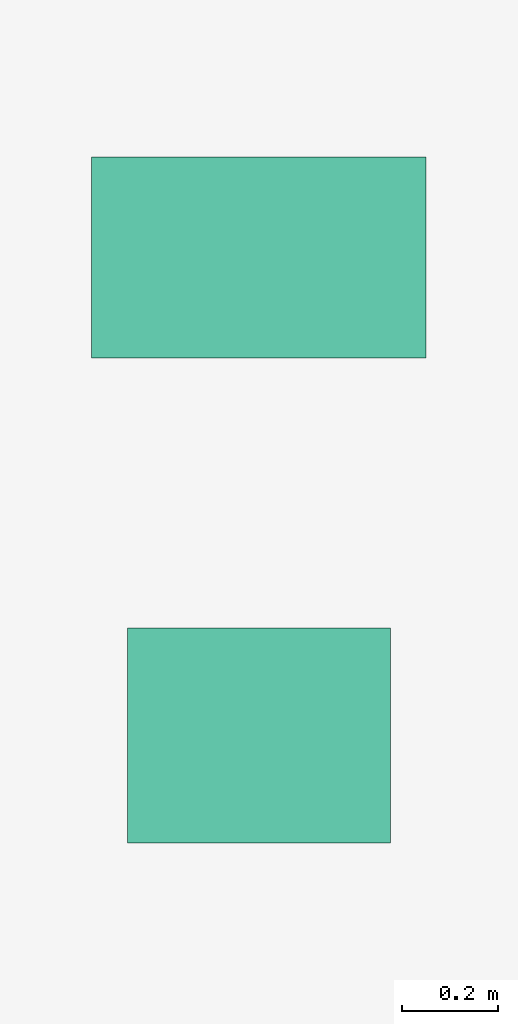
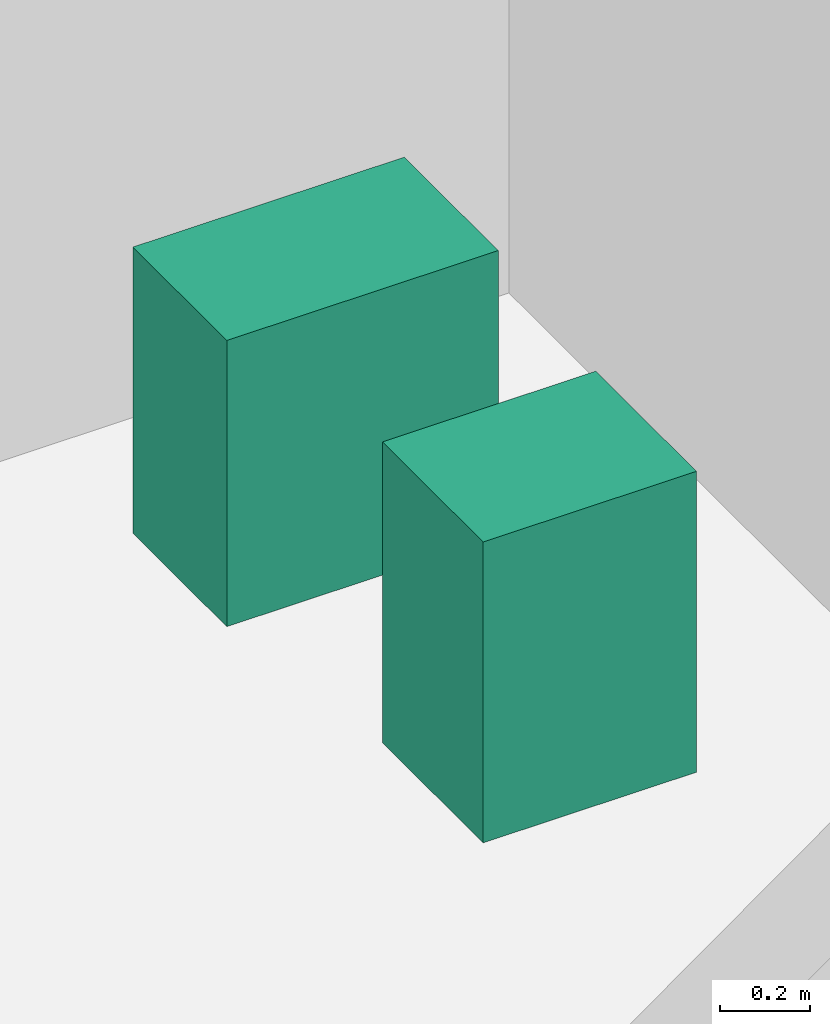
# One storey, part 36 of 36: 2 sanitary terminals.
"""IFC4 building model written with IfcOpenShell, lengths in metres."""

from ifc_helpers import new_model, si_unit, direction, frame, origin, origin_2d, place, context, subcontext, project, spatial, rectangle, extrude, source, transform, mapped, material, type_object, element, save


model = new_model("IFC4")

# Units and contexts
model_context = context("Model", 3, precision=1e-05, world=origin(), true_north=direction((0.0, 1.0)))
body_context = subcontext(model_context, "Body", "Model", "MODEL_VIEW")
ifc_project = project(units=[si_unit("LENGTHUNIT", "METRE"), si_unit("AREAUNIT", "SQUARE_METRE"), si_unit("VOLUMEUNIT", "CUBIC_METRE"), si_unit("PLANEANGLEUNIT", "RADIAN"), si_unit("MASSUNIT", "GRAM", prefix="KILO")], contexts=[model_context])

# Site, building, storey
site_placement = place(None, origin())
site = spatial("IfcSite", under=ifc_project, at=site_placement, CompositionType="ELEMENT")
building_placement = place(site_placement, origin())
building = spatial("IfcBuilding", under=site, at=building_placement, Name="Sumidabori Civic Tower", CompositionType="ELEMENT")
storey_placement = place(building_placement, frame((0.0, 0.0, 77.60009765625)))
storey = spatial("IfcBuildingStorey", under=building, at=storey_placement, Name="L19", CompositionType="ELEMENT", Elevation=77.60009765625)

# Sanitary terminals
ifc_material = material(Name="Vitreous Sanitary Porcelain")
sanitary_terminal_type_1 = type_object("IfcSanitaryTerminalType", Name="SN-WC-1", PredefinedType="TOILETPAN", material=ifc_material)
shared_shape_1 = source(origin(), body_context, "Body", "SweptSolid", [
    extrude(rectangle(XDim=0.699951171875, YDim=0.419921875, at=origin_2d()), origin(), (0.0, 0.0, 1.0), 0.780029296875),
])
sanitary_terminal_1_placement = place(storey_placement, frame((10.800048828125, 21.85009765625, 0.0), z_axis=(0.0, 0.0, 1.0), x_axis=(1.0, 0.0, 0.0)))
element("IfcSanitaryTerminal", 1, at=sanitary_terminal_1_placement, inside=storey, type_object=sanitary_terminal_type_1, Name="Accessible WC Pan L19", PredefinedType="TOILETPAN", context=body_context, shape_type="MappedRepresentation", body=[
    mapped(shared_shape_1, transform((0.0, 0.0, 0.0), x_axis=(1.0, 0.0, 0.0), y_axis=(0.0, 1.0, 0.0), z_axis=(0.0, 0.0, 1.0), scale=1.0)),
])
sanitary_terminal_type_2 = type_object("IfcSanitaryTerminalType", Name="SN-BAS-1", PredefinedType="WASHHANDBASIN", material=ifc_material)
shared_shape_2 = source(origin(), body_context, "Body", "SweptSolid", [
    extrude(rectangle(XDim=0.550048828125, YDim=0.449951171875, at=origin_2d()), origin(), (0.0, 0.0, 1.0), 0.820068359375),
])
sanitary_terminal_2_placement = place(storey_placement, frame((10.800048828125, 20.85009765625, 0.0), z_axis=(0.0, 0.0, 1.0), x_axis=(1.0, 0.0, 0.0)))
element("IfcSanitaryTerminal", 2, at=sanitary_terminal_2_placement, inside=storey, type_object=sanitary_terminal_type_2, Name="Accessible Basin L19", PredefinedType="WASHHANDBASIN", context=body_context, shape_type="MappedRepresentation", body=[
    mapped(shared_shape_2, transform((0.0, 0.0, 0.0), x_axis=(1.0, 0.0, 0.0), y_axis=(0.0, 1.0, 0.0), z_axis=(0.0, 0.0, 1.0), scale=1.0)),
])

save(model, "model.ifc")
